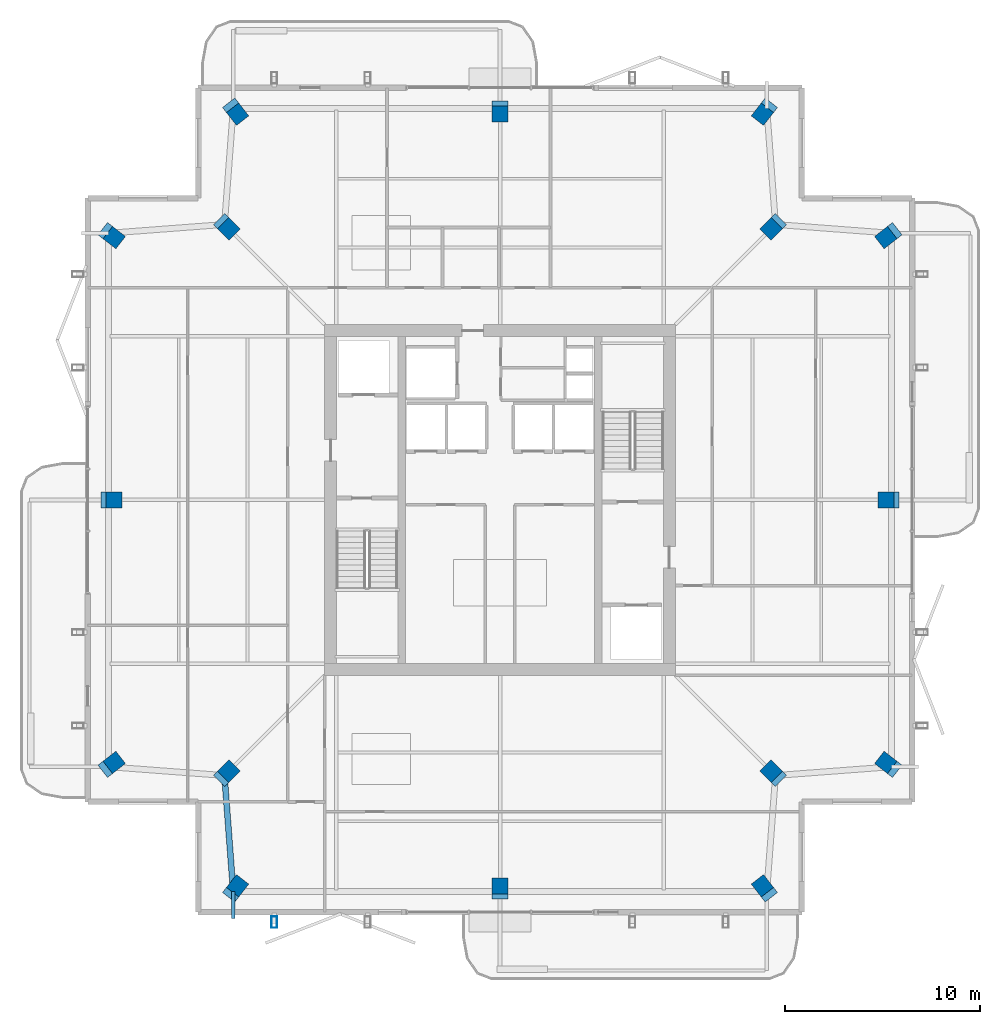
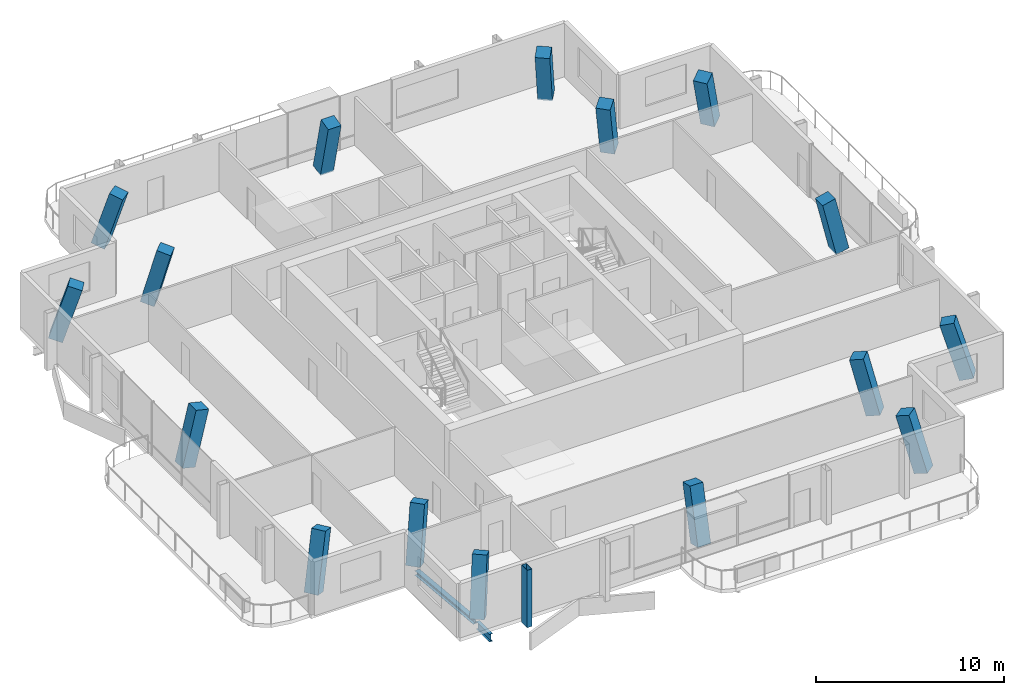
# One storey, part 1 of 20: 16 columns, 2 beams, 1 member.
"""IFC4 building model written with IfcOpenShell, lengths in metres."""

import ifcopenshell
import ifcopenshell.guid

model = None  # the IFC model being written
_history = None  # IfcOwnerHistory: only IFC2X3 demands one
_inside = {}  # id of a spatial element -> (the spatial element, [elements in it])
_under = {}  # id of a project, library or spatial element -> (it, [spatial elements below it])
_declared = {}  # id of a project -> (the project, [libraries it declares])
_typed = {}  # id of a type object -> (the type object, [elements of that type])
_made_of = {}  # id of a material, layer set ... -> (it, [elements and type objects made of it])


def new_model(schema):
    """Start an empty IFC model of exactly this schema.

    Asked for "IFC4X3", IfcOpenShell would pick the latest addendum, in which some entities
    have other attributes; the version numbers below select the first issue.
    IFC2X3 requires an IfcOwnerHistory on every rooted entity: one is made here for all.
    """
    global model, _history
    if schema == "IFC4X3":
        model = ifcopenshell.file(schema_version=(4, 3, 0, 0))
    else:
        model = ifcopenshell.file(schema=schema)
    _inside.clear()
    _under.clear()
    _declared.clear()
    _typed.clear()
    _made_of.clear()
    _history = None
    if model.schema == "IFC2X3":
        org = make("IfcOrganization", Name="unknown")
        user = make(
            "IfcPersonAndOrganization",
            ThePerson=make("IfcPerson", FamilyName="unknown"),
            TheOrganization=org,
        )
        app = make(
            "IfcApplication",
            ApplicationDeveloper=org,
            Version="unknown",
            ApplicationFullName="unknown",
            ApplicationIdentifier="unknown",
        )
        _history = make(
            "IfcOwnerHistory",
            OwningUser=user,
            OwningApplication=app,
            ChangeAction="ADDED",
            CreationDate=0,
        )
    return model


def make(cls, **values):
    """One entity of the class cls with the attributes given. An attribute that is None is left unset."""
    return model.create_entity(
        cls, **{name: value for name, value in values.items() if value is not None}
    )


def rooted(cls, **values):
    """An entity with a GlobalId (a new one), such as an element, a storey or a relation."""
    return make(cls, GlobalId=ifcopenshell.guid.new(), OwnerHistory=_history, **values)


def si_unit(unit_type, name, prefix=None):
    """IfcSIUnit, for example si_unit("LENGTHUNIT", "METRE", prefix="MILLI")."""
    return make("IfcSIUnit", UnitType=unit_type, Prefix=prefix, Name=name)


def assignment(units):
    """IfcUnitAssignment: the units of a project."""
    return None if units is None else make("IfcUnitAssignment", Units=units)


def point(xyz):
    """IfcCartesianPoint."""
    return None if xyz is None else make("IfcCartesianPoint", Coordinates=xyz)


def direction(xyz):
    """IfcDirection."""
    return None if xyz is None else make("IfcDirection", DirectionRatios=xyz)


def frame(location, z_axis=None, x_axis=None):
    """IfcAxis2Placement3D, a coordinate frame: its origin and axes. An axis left out is left unset."""
    return make(
        "IfcAxis2Placement3D",
        Location=point(location),
        Axis=direction(z_axis),
        RefDirection=direction(x_axis),
    )


def frame_2d(location, x_axis=None):
    """IfcAxis2Placement2D, a coordinate frame in the plane: its origin and x axis."""
    return make(
        "IfcAxis2Placement2D", Location=point(location), RefDirection=direction(x_axis)
    )


def origin():
    """The frame at (0, 0, 0) with its axes left unset."""
    return frame((0.0, 0.0, 0.0))


def origin_2d():
    """The frame at (0, 0) in the plane with its x axis left unset."""
    return frame_2d((0.0, 0.0))


def place(relative_to, where):
    """IfcLocalPlacement: puts the frame where relative to a parent placement (None: the world)."""
    return make(
        "IfcLocalPlacement", PlacementRelTo=relative_to, RelativePlacement=where
    )


def context(
    kind, dimensions, precision=None, world=None, true_north=None, identifier=None
):
    """IfcGeometricRepresentationContext, for example the 3D "Model" context."""
    return make(
        "IfcGeometricRepresentationContext",
        ContextIdentifier=identifier,
        ContextType=kind,
        CoordinateSpaceDimension=dimensions,
        Precision=precision,
        WorldCoordinateSystem=world,
        TrueNorth=true_north,
    )


def subcontext(parent, identifier, kind, view, scale=None):
    """IfcGeometricRepresentationSubContext, for example "Body" below "Model"."""
    return make(
        "IfcGeometricRepresentationSubContext",
        ContextIdentifier=identifier,
        ContextType=kind,
        ParentContext=parent,
        TargetScale=scale,
        TargetView=view,
    )


def project(units=None, contexts=None):
    """IfcProject with its units and contexts."""
    return rooted(
        "IfcProject",
        Name="project",
        RepresentationContexts=contexts,
        UnitsInContext=assignment(units),
    )


def spatial(cls, under=None, at=None, **own):
    """A site, building, storey or space (cls), placed at a placement, below another one or the project."""
    s = rooted(cls, ObjectPlacement=at, **own)
    if under is not None:
        _under.setdefault(under.id(), (under, []))[1].append(s)
    return s


def profile(cls, at=None, kind="AREA", **sizes):
    """A parametric profile (cls). Its sizes go by their IFC names, for example OverallWidth=200.0."""
    return make(cls, ProfileType=kind, Position=at, **sizes)


def rectangle(**sizes):
    """IfcRectangleProfileDef."""
    return profile("IfcRectangleProfileDef", **sizes)


def hollow_rectangle(**sizes):
    """IfcRectangleHollowProfileDef."""
    return profile("IfcRectangleHollowProfileDef", **sizes)


def i_section(**sizes):
    """IfcIShapeProfileDef."""
    return profile("IfcIShapeProfileDef", **sizes)


def extrude(swept, where, along, depth):
    """IfcExtrudedAreaSolid: the profile swept, set in the frame where, extruded along a direction by depth."""
    return make(
        "IfcExtrudedAreaSolid",
        SweptArea=swept,
        Position=where,
        ExtrudedDirection=direction(along),
        Depth=depth,
    )


def shape(context_of_items, identifier, shape_type, items):
    """IfcShapeRepresentation: the items that make up one representation, for example the "Body"."""
    return make(
        "IfcShapeRepresentation",
        ContextOfItems=context_of_items,
        RepresentationIdentifier=identifier,
        RepresentationType=shape_type,
        Items=items,
    )


def material(Name=None, Category=None):
    """IfcMaterial."""
    return make("IfcMaterial", Name=Name, Category=Category)


def material_profile(
    of_material, cross_section, Name=None, Category=None, Priority=None
):
    """IfcMaterialProfile: a cross section and its material."""
    return make(
        "IfcMaterialProfile",
        Name=Name,
        Material=of_material,
        Profile=cross_section,
        Priority=Priority,
        Category=Category,
    )


def profile_set(profiles, Name=None, composite=None):
    """IfcMaterialProfileSet."""
    return make(
        "IfcMaterialProfileSet",
        Name=Name,
        MaterialProfiles=profiles,
        CompositeProfile=composite,
    )


def made_of(thing, what):
    """Note that an element or type object is made of a material, layer set ...; save() writes the relation."""
    if what is not None:
        _made_of.setdefault(what.id(), (what, []))[1].append(thing)
    return thing


def type_object(cls, material=None, **own):
    """A type object (cls), such as IfcWallType, which elements share."""
    return made_of(rooted(cls, **own), material)


def element(
    cls,
    number,
    at=None,
    inside=None,
    cuts=None,
    type_object=None,
    material=None,
    context=None,
    identifier="Body",
    shape_type=None,
    held_by="IfcProductDefinitionShape",
    body=None,
    shapes=None,
    **own,
):
    """One element of the class cls, such as IfcWall. Its Tag is "e" and its number.

    at: its placement. inside: the storey or other place that contains it. cuts: it is an
    opening in that element (IfcRelVoidsElement). A single representation is given by context,
    identifier, shape_type and body (its items); several are given by shapes. held_by: the class
    of the entity that holds the representations. save() writes the other relations.
    """
    e = rooted(cls, Tag="e%d" % number, ObjectPlacement=at, **own)
    if body is not None:
        shapes = [shape(context, identifier, shape_type, body)]
    if shapes is not None:
        e.Representation = make(held_by, Representations=shapes)
    if inside is not None:
        _inside.setdefault(inside.id(), (inside, []))[1].append(e)
    if cuts is not None:
        rooted(
            "IfcRelVoidsElement", RelatingBuildingElement=cuts, RelatedOpeningElement=e
        )
    if type_object is not None:
        _typed.setdefault(type_object.id(), (type_object, []))[1].append(e)
    return made_of(e, material)


def aggregate(whole, parts):
    """IfcRelAggregates: a whole, such as a stair, and the parts it consists of."""
    return rooted("IfcRelAggregates", RelatingObject=whole, RelatedObjects=parts)


def save(model, path):
    """Write the relations noted so far, then the file.

    IfcRelAggregates (storeys below a building ...), IfcRelContainedInSpatialStructure (elements
    in a storey), IfcRelDefinesByType, IfcRelAssociatesMaterial and IfcRelDeclares: one each for
    every whole, place, type object, material and project.
    """
    for whole, parts in _under.values():
        aggregate(whole, parts)
    for where, things in _inside.values():
        rooted(
            "IfcRelContainedInSpatialStructure",
            RelatedElements=things,
            RelatingStructure=where,
        )
    for kind, things in _typed.values():
        rooted("IfcRelDefinesByType", RelatedObjects=things, RelatingType=kind)
    for what, things in _made_of.values():
        rooted("IfcRelAssociatesMaterial", RelatedObjects=things, RelatingMaterial=what)
    for by, libraries in _declared.values():
        rooted("IfcRelDeclares", RelatingContext=by, RelatedDefinitions=libraries)
    model.write(path)


model = new_model("IFC4")

# Units and contexts
model_context = context("Model", 3, precision=1e-05, world=origin(), true_north=direction((0.0, 1.0)))
body_context = subcontext(model_context, "Body", "Model", "MODEL_VIEW")
ifc_project = project(units=[si_unit("LENGTHUNIT", "METRE"), si_unit("AREAUNIT", "SQUARE_METRE"), si_unit("VOLUMEUNIT", "CUBIC_METRE"), si_unit("PLANEANGLEUNIT", "RADIAN"), si_unit("MASSUNIT", "GRAM", prefix="KILO")], contexts=[model_context])

# Site, building, storey
site_placement = place(None, origin())
site = spatial("IfcSite", under=ifc_project, at=site_placement, CompositionType="ELEMENT")
building_placement = place(site_placement, origin())
building = spatial("IfcBuilding", under=site, at=building_placement, Name="Belovzor Exchange Tower", CompositionType="ELEMENT")
storey_placement = place(building_placement, frame((0.0, 0.0, 351.75)))
storey = spatial("IfcBuildingStorey", under=building, at=storey_placement, Name="L88", CompositionType="ELEMENT", Elevation=351.75)

# Columns
ifc_material_1 = material(Name="Concrete C50/60", Category="concrete")
ifc_material_profile_1 = material_profile(ifc_material_1, rectangle(XDim=0.800048828125, YDim=0.800048828125, at=origin_2d()))
ifc_profile_set_1 = profile_set([ifc_material_profile_1], Name="Concrete C50/60")
column_type = type_object("IfcColumnType", Name="Reinforced Concrete Tower Column 800x800", PredefinedType="COLUMN", material=ifc_profile_set_1)
column_1_placement = place(storey_placement, frame((15.10107421875, 8.700927734375, 0.0029296875), z_axis=(0.178469584564, 0.229623714174, 0.956776649629), x_axis=(-0.789563193814, 0.613669261878, 0.0)))
element("IfcColumn", 1, at=column_1_placement, inside=storey, type_object=column_type, Name="COL-T080 Reinforced Concrete Tower Column 800x800", PredefinedType="COLUMN", context=body_context, shape_type="SweptSolid", body=[
    extrude(rectangle(XDim=0.800048828125, YDim=0.800048828125, at=origin_2d()), origin(), (0.0, 0.0, 1.0), 3.6416015625),
])
column_2_placement = place(storey_placement, frame((28.800048828125, 8.700927734375, 0.0029296875), z_axis=(0.0, 0.233370375419, 0.97238792047), x_axis=(-1.0, 0.0, 0.0)))
element("IfcColumn", 2, at=column_2_placement, inside=storey, type_object=column_type, Name="COL-T080 Reinforced Concrete Tower Column 800x800", PredefinedType="COLUMN", context=body_context, shape_type="SweptSolid", body=[
    extrude(rectangle(XDim=0.800048828125, YDim=0.800048828125, at=origin_2d()), origin(), (0.0, 0.0, 1.0), 3.5830078125),
])
column_3_placement = place(storey_placement, frame((42.4990234375, 8.700927734375, 0.0029296875), z_axis=(-0.178469584564, 0.229623714174, 0.956776649629), x_axis=(-0.789563193814, -0.613669261878, 0.0)))
element("IfcColumn", 3, at=column_3_placement, inside=storey, type_object=column_type, Name="COL-T080 Reinforced Concrete Tower Column 800x800", PredefinedType="COLUMN", context=body_context, shape_type="SweptSolid", body=[
    extrude(rectangle(XDim=0.800048828125, YDim=0.800048828125, at=origin_2d()), origin(), (0.0, 0.0, 1.0), 3.6416015625),
])
column_4_placement = place(storey_placement, frame((48.89892578125, 15.10107421875, 0.0029296875), z_axis=(-0.229560204289, 0.178472331722, 0.956791377164), x_axis=(-0.613780974632, -0.789476355048, 0.0)))
element("IfcColumn", 4, at=column_4_placement, inside=storey, type_object=column_type, Name="COL-T080 Reinforced Concrete Tower Column 800x800", PredefinedType="COLUMN", context=body_context, shape_type="SweptSolid", body=[
    extrude(rectangle(XDim=0.800048828125, YDim=0.800048828125, at=origin_2d()), origin(), (0.0, 0.0, 1.0), 3.641357421875),
])
column_5_placement = place(storey_placement, frame((48.89892578125, 28.800048828125, 0.0029296875), z_axis=(-0.233305947424, 0.0, 0.972403380751), x_axis=(0.0, -1.0, 0.0)))
element("IfcColumn", 5, at=column_5_placement, inside=storey, type_object=column_type, Name="COL-T080 Reinforced Concrete Tower Column 800x800", PredefinedType="COLUMN", context=body_context, shape_type="SweptSolid", body=[
    extrude(rectangle(XDim=0.800048828125, YDim=0.800048828125, at=origin_2d()), origin(), (0.0, 0.0, 1.0), 3.5830078125),
])
for number, where, z_axis, x_axis, name in (
    (6, (48.89892578125, 42.4990234375, 0.0029296875), (-0.229560204289, -0.178472331722, 0.956791377164), (0.613780974632, -0.789476355048, 0.0), "COL-T080 Reinforced Concrete Tower Column 800x800"),
    (7, (42.4990234375, 48.89892578125, 0.0029296875), (-0.178472331722, -0.229560204289, 0.956791377164), (0.789476355048, -0.613780974632, 0.0), "COL-T080 Reinforced Concrete Tower Column 800x800"),
):
    element("IfcColumn", number, at=place(storey_placement, frame(where, z_axis=z_axis, x_axis=x_axis)), inside=storey, type_object=column_type, Name=name, PredefinedType="COLUMN", context=body_context, shape_type="SweptSolid", body=[
        extrude(rectangle(XDim=0.800048828125, YDim=0.800048828125, at=origin_2d()), origin(), (0.0, 0.0, 1.0), 3.641357421875),
    ])
column_6_placement = place(storey_placement, frame((28.800048828125, 48.89892578125, 0.0029296875), z_axis=(0.0, -0.233305947424, 0.972403380751), x_axis=(1.0, 0.0, 0.0)))
element("IfcColumn", 8, at=column_6_placement, inside=storey, type_object=column_type, Name="COL-T080 Reinforced Concrete Tower Column 800x800", PredefinedType="COLUMN", context=body_context, shape_type="SweptSolid", body=[
    extrude(rectangle(XDim=0.800048828125, YDim=0.800048828125, at=origin_2d()), origin(), (0.0, 0.0, 1.0), 3.5830078125),
])
column_7_placement = place(storey_placement, frame((15.10107421875, 48.89892578125, 0.0029296875), z_axis=(0.178472331722, -0.229560204289, 0.956791377164), x_axis=(0.789476355048, 0.613780974632, 0.0)))
element("IfcColumn", 9, at=column_7_placement, inside=storey, type_object=column_type, Name="COL-T080 Reinforced Concrete Tower Column 800x800", PredefinedType="COLUMN", context=body_context, shape_type="SweptSolid", body=[
    extrude(rectangle(XDim=0.800048828125, YDim=0.800048828125, at=origin_2d()), origin(), (0.0, 0.0, 1.0), 3.641357421875),
])
column_8_placement = place(storey_placement, frame((8.700927734375, 42.4990234375, 0.0029296875), z_axis=(0.229623714174, -0.178469584564, 0.956776649629), x_axis=(0.613669261878, 0.789563193814, 0.0)))
element("IfcColumn", 10, at=column_8_placement, inside=storey, type_object=column_type, Name="COL-T080 Reinforced Concrete Tower Column 800x800", PredefinedType="COLUMN", context=body_context, shape_type="SweptSolid", body=[
    extrude(rectangle(XDim=0.800048828125, YDim=0.800048828125, at=origin_2d()), origin(), (0.0, 0.0, 1.0), 3.6416015625),
])
column_9_placement = place(storey_placement, frame((8.700927734375, 28.800048828125, 0.0029296875), z_axis=(0.233370375419, 0.0, 0.97238792047), x_axis=(0.0, 1.0, 0.0)))
element("IfcColumn", 11, at=column_9_placement, inside=storey, type_object=column_type, Name="COL-T080 Reinforced Concrete Tower Column 800x800", PredefinedType="COLUMN", context=body_context, shape_type="SweptSolid", body=[
    extrude(rectangle(XDim=0.800048828125, YDim=0.800048828125, at=origin_2d()), origin(), (0.0, 0.0, 1.0), 3.5830078125),
])
column_10_placement = place(storey_placement, frame((8.700927734375, 15.10107421875, 0.0029296875), z_axis=(0.229623714174, 0.178469584564, 0.956776649629), x_axis=(-0.613669261878, 0.789563193814, 0.0)))
element("IfcColumn", 12, at=column_10_placement, inside=storey, type_object=column_type, Name="COL-T080 Reinforced Concrete Tower Column 800x800", PredefinedType="COLUMN", context=body_context, shape_type="SweptSolid", body=[
    extrude(rectangle(XDim=0.800048828125, YDim=0.800048828125, at=origin_2d()), origin(), (0.0, 0.0, 1.0), 3.6416015625),
])
column_11_placement = place(storey_placement, frame((14.65087890625, 14.65087890625, 0.0029296875), z_axis=(0.180425446151, 0.180425446151, 0.966898814128), x_axis=(-0.707106781187, 0.707106781187, 0.0)))
element("IfcColumn", 13, at=column_11_placement, inside=storey, type_object=column_type, Name="COL-T080 Reinforced Concrete Tower Column 800x800", PredefinedType="COLUMN", context=body_context, shape_type="SweptSolid", body=[
    extrude(rectangle(XDim=0.800048828125, YDim=0.800048828125, at=origin_2d()), origin(), (0.0, 0.0, 1.0), 3.603515625),
])
for number, where, z_axis, x_axis, name in (
    (14, (42.948974609375, 14.65087890625, 0.0029296875), (-0.180359897824, 0.180427651354, 0.966910631798), (-0.707239558722, -0.706973978714, 0.0), "COL-T080 Reinforced Concrete Tower Column 800x800"),
    (15, (42.948974609375, 42.948974609375, 0.0029296875), (-0.18036210228, -0.18036210228, 0.966922449901), (0.707106781187, -0.707106781187, 0.0), "COL-T080 Reinforced Concrete Tower Column 800x800"),
    (16, (14.65087890625, 42.948974609375, 0.0029296875), (0.180427651354, -0.180359897824, 0.966910631798), (0.706973978714, 0.707239558722, 0.0), "COL-T080 Reinforced Concrete Tower Column 800x800"),
):
    element("IfcColumn", number, at=place(storey_placement, frame(where, z_axis=z_axis, x_axis=x_axis)), inside=storey, type_object=column_type, Name=name, PredefinedType="COLUMN", context=body_context, shape_type="SweptSolid", body=[
        extrude(rectangle(XDim=0.800048828125, YDim=0.800048828125, at=origin_2d()), origin(), (0.0, 0.0, 1.0), 3.603271484375),
    ])

# Beam
ifc_material_2 = material(Name="Steel S355", Category="steel")
ifc_material_profile_2 = material_profile(ifc_material_2, i_section(OverallWidth=0.199951171875, OverallDepth=0.5, WebThickness=0.01025390625, FlangeThickness=0.01611328125, at=origin_2d()))
ifc_profile_set_2 = profile_set([ifc_material_profile_2], Name="Steel S355")
beam_type_1 = type_object("IfcBeamType", Name="Planted Balcony Cantilever Beam IPE 500", PredefinedType="BEAM", material=ifc_profile_set_2)
beam_1_placement = place(storey_placement, frame((15.10009765625, 8.699951171875, -0.489990234375), z_axis=(0.0, -1.0, 0.0), x_axis=(1.0, 0.0, 0.0)))
element("IfcBeam", 17, at=beam_1_placement, inside=storey, type_object=beam_type_1, Name="BC-500 Planted Balcony Cantilever Beam IPE 500", PredefinedType="BEAM", context=body_context, shape_type="SweptSolid", body=[
    extrude(i_section(OverallWidth=0.199951171875, OverallDepth=0.5, WebThickness=0.01025390625, FlangeThickness=0.01611328125, at=origin_2d()), origin(), (0.0, 0.0, 1.0), 1.39990234375),
])

# Member
ifc_material_3 = material(Name="Extruded Architectural Terracotta on Steel S355 Carrier", Category="masonry")
ifc_material_profile_3 = material_profile(ifc_material_3, hollow_rectangle(XDim=0.300048828125, YDim=0.60009765625, WallThickness=0.01611328125, at=origin_2d()))
ifc_profile_set_3 = profile_set([ifc_material_profile_3], Name="Extruded Architectural Terracotta on Steel S355 Carrier")
member_type = type_object("IfcMemberType", Name="Upper Crown Terracotta Fin Assembly 550", PredefinedType="USERDEFINED", material=ifc_profile_set_3)
member_placement = place(storey_placement, frame((17.199951171875, 7.125, -0.239990234375), z_axis=(0.0, 0.0, 1.0), x_axis=(1.0, 0.0, 0.0)))
element("IfcMember", 18, at=member_placement, inside=storey, type_object=member_type, Name="FIN-TC055 Terracotta Facade Fin L88 S1", ObjectType="FIN", PredefinedType="USERDEFINED", context=body_context, shape_type="SweptSolid", body=[
    extrude(hollow_rectangle(XDim=0.300048828125, YDim=0.60009765625, WallThickness=0.01611328125, at=origin_2d()), origin(), (0.0, 0.0, 1.0), 3.72998046875),
])

# Beam
ifc_material_4 = material(Name="Steel S355", Category="steel")
ifc_material_profile_4 = material_profile(ifc_material_4, i_section(OverallWidth=0.300048828125, OverallDepth=0.300048828125, WebThickness=0.008544921875, FlangeThickness=0.013916015625, at=origin_2d()))
ifc_profile_set_4 = profile_set([ifc_material_profile_4], Name="Steel S355")
beam_type_2 = type_object("IfcBeamType", Name="Zone 6 Primary Girder HEA 300", PredefinedType="BEAM", material=ifc_profile_set_4)
beam_2_placement = place(storey_placement, frame((14.6669921875, 14.430908203125, -0.389892578125), z_axis=(0.075260983968, -0.99716387033, 0.0), x_axis=(0.99716387033, 0.075260983968, 0.0)))
element("IfcBeam", 19, at=beam_2_placement, inside=storey, type_object=beam_type_2, Name="FG-Z6 Zone 6 Primary Girder HEA 300", PredefinedType="BEAM", context=body_context, shape_type="SweptSolid", body=[
    extrude(i_section(OverallWidth=0.300048828125, OverallDepth=0.300048828125, WebThickness=0.008544921875, FlangeThickness=0.013916015625, at=origin_2d()), origin(), (0.0, 0.0, 1.0), 5.527587890625),
])

save(model, "model.ifc")
